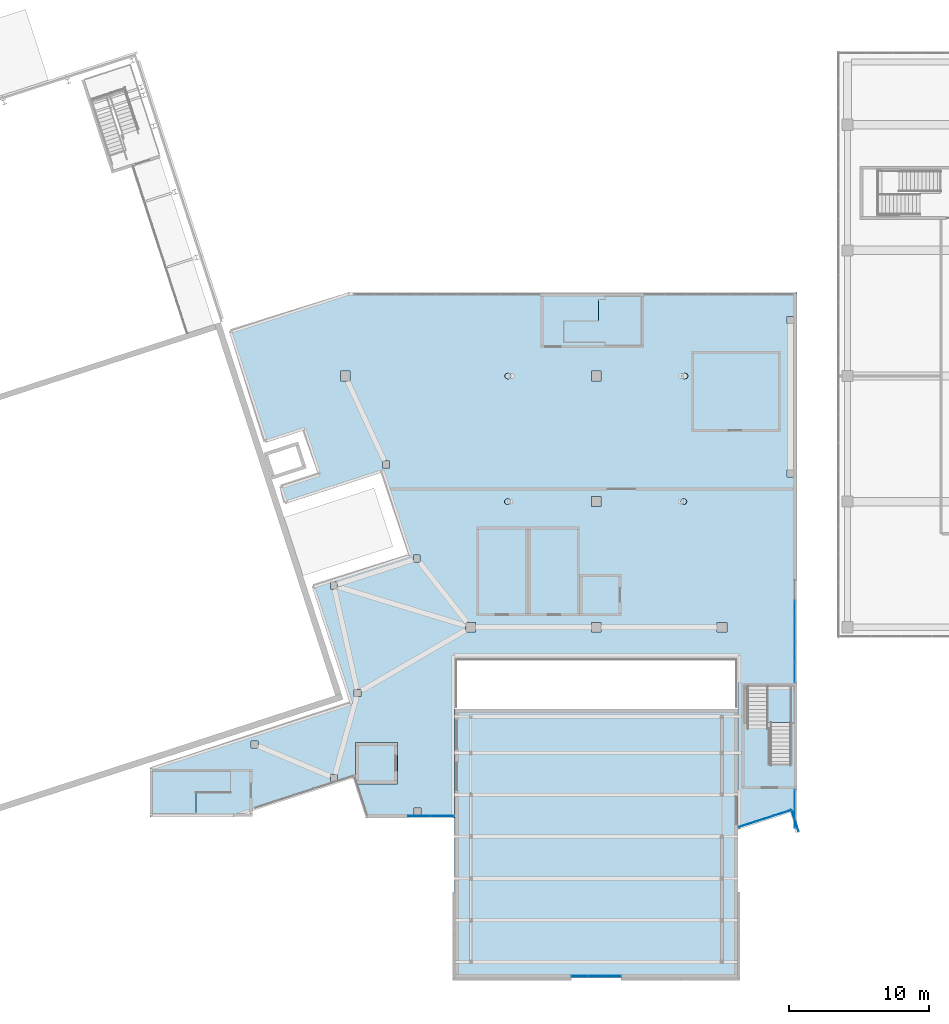
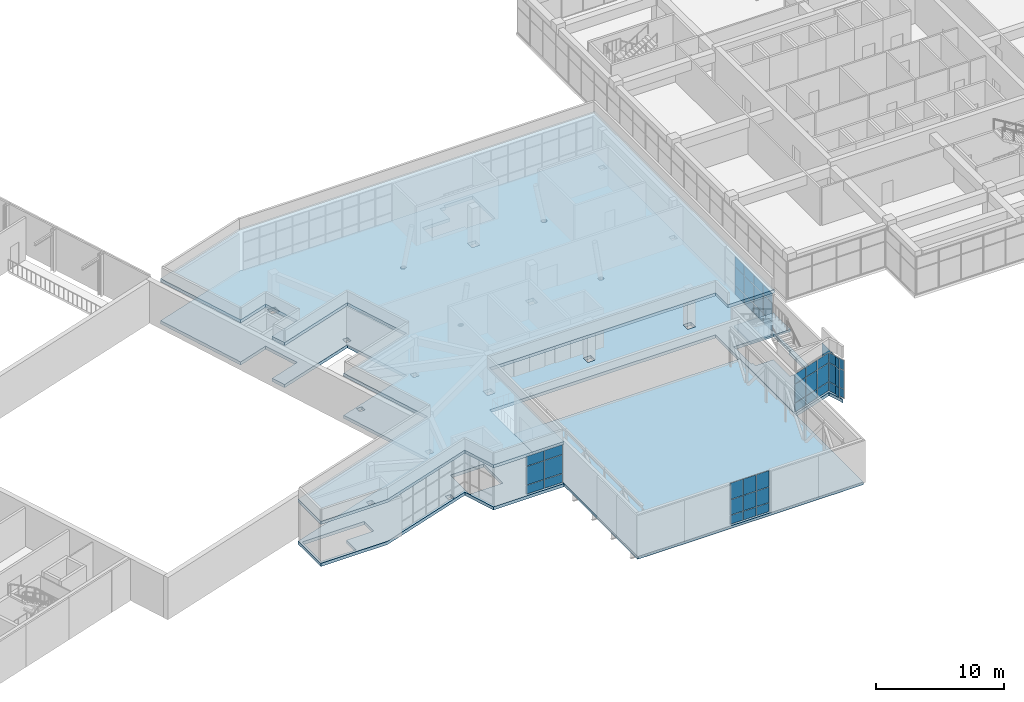
# One storey, part 55 of 72: 45 plates, 4 slabs, 7 elements without a shape of their own.
"""IFC4 building model written with IfcOpenShell, lengths in metres."""

import ifcopenshell
import ifcopenshell.guid

model = None  # the IFC model being written
_history = None  # IfcOwnerHistory: only IFC2X3 demands one
_inside = {}  # id of a spatial element -> (the spatial element, [elements in it])
_under = {}  # id of a project, library or spatial element -> (it, [spatial elements below it])
_declared = {}  # id of a project -> (the project, [libraries it declares])
_typed = {}  # id of a type object -> (the type object, [elements of that type])
_made_of = {}  # id of a material, layer set ... -> (it, [elements and type objects made of it])


def new_model(schema):
    """Start an empty IFC model of exactly this schema.

    Asked for "IFC4X3", IfcOpenShell would pick the latest addendum, in which some entities
    have other attributes; the version numbers below select the first issue.
    IFC2X3 requires an IfcOwnerHistory on every rooted entity: one is made here for all.
    """
    global model, _history
    if schema == "IFC4X3":
        model = ifcopenshell.file(schema_version=(4, 3, 0, 0))
    else:
        model = ifcopenshell.file(schema=schema)
    _inside.clear()
    _under.clear()
    _declared.clear()
    _typed.clear()
    _made_of.clear()
    _history = None
    if model.schema == "IFC2X3":
        org = make("IfcOrganization", Name="unknown")
        user = make(
            "IfcPersonAndOrganization",
            ThePerson=make("IfcPerson", FamilyName="unknown"),
            TheOrganization=org,
        )
        app = make(
            "IfcApplication",
            ApplicationDeveloper=org,
            Version="unknown",
            ApplicationFullName="unknown",
            ApplicationIdentifier="unknown",
        )
        _history = make(
            "IfcOwnerHistory",
            OwningUser=user,
            OwningApplication=app,
            ChangeAction="ADDED",
            CreationDate=0,
        )
    return model


def make(cls, **values):
    """One entity of the class cls with the attributes given. An attribute that is None is left unset."""
    return model.create_entity(
        cls, **{name: value for name, value in values.items() if value is not None}
    )


def rooted(cls, **values):
    """An entity with a GlobalId (a new one), such as an element, a storey or a relation."""
    return make(cls, GlobalId=ifcopenshell.guid.new(), OwnerHistory=_history, **values)


def si_unit(unit_type, name, prefix=None):
    """IfcSIUnit, for example si_unit("LENGTHUNIT", "METRE", prefix="MILLI")."""
    return make("IfcSIUnit", UnitType=unit_type, Prefix=prefix, Name=name)


def assignment(units):
    """IfcUnitAssignment: the units of a project."""
    return None if units is None else make("IfcUnitAssignment", Units=units)


def point(xyz):
    """IfcCartesianPoint."""
    return None if xyz is None else make("IfcCartesianPoint", Coordinates=xyz)


def direction(xyz):
    """IfcDirection."""
    return None if xyz is None else make("IfcDirection", DirectionRatios=xyz)


def frame(location, z_axis=None, x_axis=None):
    """IfcAxis2Placement3D, a coordinate frame: its origin and axes. An axis left out is left unset."""
    return make(
        "IfcAxis2Placement3D",
        Location=point(location),
        Axis=direction(z_axis),
        RefDirection=direction(x_axis),
    )


def frame_2d(location, x_axis=None):
    """IfcAxis2Placement2D, a coordinate frame in the plane: its origin and x axis."""
    return make(
        "IfcAxis2Placement2D", Location=point(location), RefDirection=direction(x_axis)
    )


def origin():
    """The frame at (0, 0, 0) with its axes left unset."""
    return frame((0.0, 0.0, 0.0))


def origin_2d():
    """The frame at (0, 0) in the plane with its x axis left unset."""
    return frame_2d((0.0, 0.0))


def place(relative_to, where):
    """IfcLocalPlacement: puts the frame where relative to a parent placement (None: the world)."""
    return make(
        "IfcLocalPlacement", PlacementRelTo=relative_to, RelativePlacement=where
    )


def context(
    kind, dimensions, precision=None, world=None, true_north=None, identifier=None
):
    """IfcGeometricRepresentationContext, for example the 3D "Model" context."""
    return make(
        "IfcGeometricRepresentationContext",
        ContextIdentifier=identifier,
        ContextType=kind,
        CoordinateSpaceDimension=dimensions,
        Precision=precision,
        WorldCoordinateSystem=world,
        TrueNorth=true_north,
    )


def subcontext(parent, identifier, kind, view, scale=None):
    """IfcGeometricRepresentationSubContext, for example "Body" below "Model"."""
    return make(
        "IfcGeometricRepresentationSubContext",
        ContextIdentifier=identifier,
        ContextType=kind,
        ParentContext=parent,
        TargetScale=scale,
        TargetView=view,
    )


def project(units=None, contexts=None):
    """IfcProject with its units and contexts."""
    return rooted(
        "IfcProject",
        Name="project",
        RepresentationContexts=contexts,
        UnitsInContext=assignment(units),
    )


def spatial(cls, under=None, at=None, **own):
    """A site, building, storey or space (cls), placed at a placement, below another one or the project."""
    s = rooted(cls, ObjectPlacement=at, **own)
    if under is not None:
        _under.setdefault(under.id(), (under, []))[1].append(s)
    return s


def polyline(points):
    """IfcPolyline through the points."""
    return make("IfcPolyline", Points=[point(p) for p in points])


def profile(cls, at=None, kind="AREA", **sizes):
    """A parametric profile (cls). Its sizes go by their IFC names, for example OverallWidth=200.0."""
    return make(cls, ProfileType=kind, Position=at, **sizes)


def rectangle(**sizes):
    """IfcRectangleProfileDef."""
    return profile("IfcRectangleProfileDef", **sizes)


def outline(outer, holes=None, kind="AREA"):
    """IfcArbitraryClosedProfileDef: a profile drawn as a closed curve; with holes, ...WithVoids."""
    if holes is None:
        return make("IfcArbitraryClosedProfileDef", ProfileType=kind, OuterCurve=outer)
    return make(
        "IfcArbitraryProfileDefWithVoids",
        ProfileType=kind,
        OuterCurve=outer,
        InnerCurves=holes,
    )


def extrude(swept, where, along, depth):
    """IfcExtrudedAreaSolid: the profile swept, set in the frame where, extruded along a direction by depth."""
    return make(
        "IfcExtrudedAreaSolid",
        SweptArea=swept,
        Position=where,
        ExtrudedDirection=direction(along),
        Depth=depth,
    )


def shape(context_of_items, identifier, shape_type, items):
    """IfcShapeRepresentation: the items that make up one representation, for example the "Body"."""
    return make(
        "IfcShapeRepresentation",
        ContextOfItems=context_of_items,
        RepresentationIdentifier=identifier,
        RepresentationType=shape_type,
        Items=items,
    )


def material(Name=None, Category=None):
    """IfcMaterial."""
    return make("IfcMaterial", Name=Name, Category=Category)


def layer(
    of_material, thickness, ventilated=None, Name=None, Category=None, Priority=None
):
    """IfcMaterialLayer: one layer of a wall or slab, of a material (None: an air gap)."""
    return make(
        "IfcMaterialLayer",
        Material=of_material,
        LayerThickness=thickness,
        IsVentilated=ventilated,
        Name=Name,
        Category=Category,
        Priority=Priority,
    )


def layer_set(layers, Name=None):
    """IfcMaterialLayerSet."""
    return make("IfcMaterialLayerSet", MaterialLayers=layers, LayerSetName=Name)


def made_of(thing, what):
    """Note that an element or type object is made of a material, layer set ...; save() writes the relation."""
    if what is not None:
        _made_of.setdefault(what.id(), (what, []))[1].append(thing)
    return thing


def type_object(cls, material=None, **own):
    """A type object (cls), such as IfcWallType, which elements share."""
    return made_of(rooted(cls, **own), material)


def element(
    cls,
    number,
    at=None,
    inside=None,
    cuts=None,
    type_object=None,
    material=None,
    context=None,
    identifier="Body",
    shape_type=None,
    held_by="IfcProductDefinitionShape",
    body=None,
    shapes=None,
    **own,
):
    """One element of the class cls, such as IfcWall. Its Tag is "e" and its number.

    at: its placement. inside: the storey or other place that contains it. cuts: it is an
    opening in that element (IfcRelVoidsElement). A single representation is given by context,
    identifier, shape_type and body (its items); several are given by shapes. held_by: the class
    of the entity that holds the representations. save() writes the other relations.
    """
    e = rooted(cls, Tag="e%d" % number, ObjectPlacement=at, **own)
    if body is not None:
        shapes = [shape(context, identifier, shape_type, body)]
    if shapes is not None:
        e.Representation = make(held_by, Representations=shapes)
    if inside is not None:
        _inside.setdefault(inside.id(), (inside, []))[1].append(e)
    if cuts is not None:
        rooted(
            "IfcRelVoidsElement", RelatingBuildingElement=cuts, RelatedOpeningElement=e
        )
    if type_object is not None:
        _typed.setdefault(type_object.id(), (type_object, []))[1].append(e)
    return made_of(e, material)


def aggregate(whole, parts):
    """IfcRelAggregates: a whole, such as a stair, and the parts it consists of."""
    return rooted("IfcRelAggregates", RelatingObject=whole, RelatedObjects=parts)


def save(model, path):
    """Write the relations noted so far, then the file.

    IfcRelAggregates (storeys below a building ...), IfcRelContainedInSpatialStructure (elements
    in a storey), IfcRelDefinesByType, IfcRelAssociatesMaterial and IfcRelDeclares: one each for
    every whole, place, type object, material and project.
    """
    for whole, parts in _under.values():
        aggregate(whole, parts)
    for where, things in _inside.values():
        rooted(
            "IfcRelContainedInSpatialStructure",
            RelatedElements=things,
            RelatingStructure=where,
        )
    for kind, things in _typed.values():
        rooted("IfcRelDefinesByType", RelatedObjects=things, RelatingType=kind)
    for what, things in _made_of.values():
        rooted("IfcRelAssociatesMaterial", RelatedObjects=things, RelatingMaterial=what)
    for by, libraries in _declared.values():
        rooted("IfcRelDeclares", RelatingContext=by, RelatedDefinitions=libraries)
    model.write(path)


model = new_model("IFC4")

# Units and contexts
model_context = context("Model", 3, precision=1e-05, world=origin(), true_north=direction((0.0, 1.0)))
body_context = subcontext(model_context, "Body", "Model", "MODEL_VIEW")
ifc_project = project(units=[si_unit("LENGTHUNIT", "METRE"), si_unit("AREAUNIT", "SQUARE_METRE"), si_unit("VOLUMEUNIT", "CUBIC_METRE"), si_unit("PLANEANGLEUNIT", "RADIAN"), si_unit("MASSUNIT", "GRAM", prefix="KILO")], contexts=[model_context])

# Site, building, storey
site_placement = place(None, origin())
site = spatial("IfcSite", under=ifc_project, at=site_placement, CompositionType="ELEMENT")
building_placement = place(site_placement, origin())
building = spatial("IfcBuilding", under=site, at=building_placement, Name="Tuart Plaza Theatre", CompositionType="ELEMENT")
storey_placement = place(building_placement, frame((0.0, 0.0, 13.5)))
storey = spatial("IfcBuildingStorey", under=building, at=storey_placement, Name="L03", CompositionType="ELEMENT", Elevation=13.5)

# Curtain wall, plates
ifc_material_1 = material(Name="Aluminium and glass", Category="aluminium")
ifc_layer_1 = layer(ifc_material_1, 0.10009765625)
ifc_layer_set_1 = layer_set([ifc_layer_1], Name="CURTAIN WALL 1500 module")
curtain_wall_type_1 = type_object("IfcCurtainWallType", Name="CURTAIN WALL 1500 module", PredefinedType="NOTDEFINED", material=ifc_layer_set_1)
curtain_wall_1_placement = place(storey_placement, origin())
curtain_wall_1 = element("IfcCurtainWall", 1, at=curtain_wall_1_placement, inside=storey, type_object=curtain_wall_type_1, Name="CW39", PredefinedType="NOTDEFINED")
ifc_material_2 = material(Name="Glass", Category="glass")
ifc_layer_2 = layer(ifc_material_2, 0.028076171875)
ifc_layer_set_2 = layer_set([ifc_layer_2], Name="CURTAIN PANEL double glazed 28")
plate_type = type_object("IfcPlateType", Name="CURTAIN PANEL double glazed 28", PredefinedType="CURTAIN_PANEL", material=ifc_layer_set_2)
plate_1_placement = place(storey_placement, frame((83.335205078125, 42.47802734375, 0.0498046875), z_axis=(0.0, 0.0, 1.0), x_axis=(1.0, 0.0, 0.0)))
plate_1 = element("IfcPlate", 2, at=plate_1_placement, type_object=plate_type, Name="CW39 panel 1.1", PredefinedType="CURTAIN_PANEL", context=body_context, shape_type="SweptSolid", body=[
    extrude(rectangle(XDim=1.596435546875, YDim=0.028076171875, at=origin_2d()), origin(), (0.0, 0.0, 1.0), 0.824951171875),
])
plate_2_placement = place(storey_placement, frame((83.335205078125, 42.47802734375, 0.925048828125), z_axis=(0.0, 0.0, 1.0), x_axis=(1.0, 0.0, 0.0)))
plate_2 = element("IfcPlate", 3, at=plate_2_placement, type_object=plate_type, Name="CW39 panel 1.2", PredefinedType="CURTAIN_PANEL", context=body_context, shape_type="SweptSolid", body=[
    extrude(rectangle(XDim=1.596435546875, YDim=0.028076171875, at=origin_2d()), origin(), (0.0, 0.0, 1.0), 1.75),
])
plate_3_placement = place(storey_placement, frame((83.335205078125, 42.47802734375, 2.72509765625), z_axis=(0.0, 0.0, 1.0), x_axis=(1.0, 0.0, 0.0)))
plate_3 = element("IfcPlate", 4, at=plate_3_placement, type_object=plate_type, Name="CW39 panel 1.3", PredefinedType="CURTAIN_PANEL", context=body_context, shape_type="SweptSolid", body=[
    extrude(rectangle(XDim=1.596435546875, YDim=0.028076171875, at=origin_2d()), origin(), (0.0, 0.0, 1.0), 0.925048828125),
])
plate_4_placement = place(storey_placement, frame((84.981689453125, 42.47802734375, 0.0498046875), z_axis=(0.0, 0.0, 1.0), x_axis=(1.0, 0.0, 0.0)))
plate_4 = element("IfcPlate", 5, at=plate_4_placement, type_object=plate_type, Name="CW39 panel 2.1", PredefinedType="CURTAIN_PANEL", context=body_context, shape_type="SweptSolid", body=[
    extrude(rectangle(XDim=1.596435546875, YDim=0.028076171875, at=origin_2d()), origin(), (0.0, 0.0, 1.0), 0.824951171875),
])
plate_5_placement = place(storey_placement, frame((84.981689453125, 42.47802734375, 0.925048828125), z_axis=(0.0, 0.0, 1.0), x_axis=(1.0, 0.0, 0.0)))
plate_5 = element("IfcPlate", 6, at=plate_5_placement, type_object=plate_type, Name="CW39 panel 2.2", PredefinedType="CURTAIN_PANEL", context=body_context, shape_type="SweptSolid", body=[
    extrude(rectangle(XDim=1.596435546875, YDim=0.028076171875, at=origin_2d()), origin(), (0.0, 0.0, 1.0), 1.75),
])
plate_6_placement = place(storey_placement, frame((84.981689453125, 42.47802734375, 2.72509765625), z_axis=(0.0, 0.0, 1.0), x_axis=(1.0, 0.0, 0.0)))
plate_6 = element("IfcPlate", 7, at=plate_6_placement, type_object=plate_type, Name="CW39 panel 2.3", PredefinedType="CURTAIN_PANEL", context=body_context, shape_type="SweptSolid", body=[
    extrude(rectangle(XDim=1.596435546875, YDim=0.028076171875, at=origin_2d()), origin(), (0.0, 0.0, 1.0), 0.925048828125),
])
aggregate(curtain_wall_1, [plate_1, plate_2, plate_3, plate_4, plate_5, plate_6])

curtain_wall_2_placement = place(storey_placement, origin())
curtain_wall_2 = element("IfcCurtainWall", 8, at=curtain_wall_2_placement, inside=storey, type_object=curtain_wall_type_1, Name="CW40", PredefinedType="NOTDEFINED")
plate_7_placement = place(storey_placement, frame((106.819580078125, 41.876220703125, 0.0498046875), z_axis=(0.0, 0.0, 1.0), x_axis=(0.951099369267, 0.308885075359, 0.0)))
plate_7 = element("IfcPlate", 9, at=plate_7_placement, type_object=plate_type, Name="CW40 panel 1.1", PredefinedType="CURTAIN_PANEL", context=body_context, shape_type="SweptSolid", body=[
    extrude(rectangle(XDim=1.26611328125, YDim=0.028076171875, at=origin_2d()), origin(), (0.0, 0.0, 1.0), 0.824951171875),
])
plate_8_placement = place(storey_placement, frame((106.819580078125, 41.876220703125, 0.925048828125), z_axis=(0.0, 0.0, 1.0), x_axis=(0.951099369267, 0.308885075359, 0.0)))
plate_8 = element("IfcPlate", 10, at=plate_8_placement, type_object=plate_type, Name="CW40 panel 1.2", PredefinedType="CURTAIN_PANEL", context=body_context, shape_type="SweptSolid", body=[
    extrude(rectangle(XDim=1.26611328125, YDim=0.028076171875, at=origin_2d()), origin(), (0.0, 0.0, 1.0), 1.75),
])
plate_9_placement = place(storey_placement, frame((106.819580078125, 41.876220703125, 2.72509765625), z_axis=(0.0, 0.0, 1.0), x_axis=(0.951099369267, 0.308885075359, 0.0)))
plate_9 = element("IfcPlate", 11, at=plate_9_placement, type_object=plate_type, Name="CW40 panel 1.3", PredefinedType="CURTAIN_PANEL", context=body_context, shape_type="SweptSolid", body=[
    extrude(rectangle(XDim=1.26611328125, YDim=0.028076171875, at=origin_2d()), origin(), (0.0, 0.0, 1.0), 0.925048828125),
])
plate_10_placement = place(storey_placement, frame((108.083251953125, 42.28662109375, 0.0498046875), z_axis=(0.0, 0.0, 1.0), x_axis=(0.951099369267, 0.308885075359, 0.0)))
plate_10 = element("IfcPlate", 12, at=plate_10_placement, type_object=plate_type, Name="CW40 panel 2.1", PredefinedType="CURTAIN_PANEL", context=body_context, shape_type="SweptSolid", body=[
    extrude(rectangle(XDim=1.291015625, YDim=0.028076171875, at=origin_2d()), origin(), (0.0, 0.0, 1.0), 0.824951171875),
])
plate_11_placement = place(storey_placement, frame((108.083251953125, 42.28662109375, 0.925048828125), z_axis=(0.0, 0.0, 1.0), x_axis=(0.951099369267, 0.308885075359, 0.0)))
plate_11 = element("IfcPlate", 13, at=plate_11_placement, type_object=plate_type, Name="CW40 panel 2.2", PredefinedType="CURTAIN_PANEL", context=body_context, shape_type="SweptSolid", body=[
    extrude(rectangle(XDim=1.291015625, YDim=0.028076171875, at=origin_2d()), origin(), (0.0, 0.0, 1.0), 1.75),
])
plate_12_placement = place(storey_placement, frame((108.083251953125, 42.28662109375, 2.72509765625), z_axis=(0.0, 0.0, 1.0), x_axis=(0.951099369267, 0.308885075359, 0.0)))
plate_12 = element("IfcPlate", 14, at=plate_12_placement, type_object=plate_type, Name="CW40 panel 2.3", PredefinedType="CURTAIN_PANEL", context=body_context, shape_type="SweptSolid", body=[
    extrude(rectangle(XDim=1.291015625, YDim=0.028076171875, at=origin_2d()), origin(), (0.0, 0.0, 1.0), 0.925048828125),
])
plate_13_placement = place(storey_placement, frame((109.3466796875, 42.697021484375, 0.0498046875), z_axis=(0.0, 0.0, 1.0), x_axis=(0.951099369267, 0.308885075359, 0.0)))
plate_13 = element("IfcPlate", 15, at=plate_13_placement, type_object=plate_type, Name="CW40 panel 3.1", PredefinedType="CURTAIN_PANEL", context=body_context, shape_type="SweptSolid", body=[
    extrude(rectangle(XDim=1.26611328125, YDim=0.028076171875, at=origin_2d()), origin(), (0.0, 0.0, 1.0), 0.824951171875),
])
plate_14_placement = place(storey_placement, frame((109.3466796875, 42.697021484375, 0.925048828125), z_axis=(0.0, 0.0, 1.0), x_axis=(0.951099369267, 0.308885075359, 0.0)))
plate_14 = element("IfcPlate", 16, at=plate_14_placement, type_object=plate_type, Name="CW40 panel 3.2", PredefinedType="CURTAIN_PANEL", context=body_context, shape_type="SweptSolid", body=[
    extrude(rectangle(XDim=1.26611328125, YDim=0.028076171875, at=origin_2d()), origin(), (0.0, 0.0, 1.0), 1.75),
])
plate_15_placement = place(storey_placement, frame((109.3466796875, 42.697021484375, 2.72509765625), z_axis=(0.0, 0.0, 1.0), x_axis=(0.951099369267, 0.308885075359, 0.0)))
plate_15 = element("IfcPlate", 17, at=plate_15_placement, type_object=plate_type, Name="CW40 panel 3.3", PredefinedType="CURTAIN_PANEL", context=body_context, shape_type="SweptSolid", body=[
    extrude(rectangle(XDim=1.26611328125, YDim=0.028076171875, at=origin_2d()), origin(), (0.0, 0.0, 1.0), 0.925048828125),
])
aggregate(curtain_wall_2, [plate_7, plate_8, plate_9, plate_10, plate_11, plate_12, plate_13, plate_14, plate_15])

curtain_wall_3_placement = place(storey_placement, origin())
curtain_wall_3 = element("IfcCurtainWall", 18, at=curtain_wall_3_placement, inside=storey, type_object=curtain_wall_type_1, Name="CW41", PredefinedType="NOTDEFINED")
plate_16_placement = place(storey_placement, frame((110.2509765625, 42.123779296875, 0.0498046875), z_axis=(0.0, 0.0, 1.0), x_axis=(0.30881459025, -0.951122257572, 0.0)))
plate_16 = element("IfcPlate", 19, at=plate_16_placement, type_object=plate_type, Name="CW41 panel 1.1", PredefinedType="CURTAIN_PANEL", context=body_context, shape_type="SweptSolid", body=[
    extrude(rectangle(XDim=1.54931640625, YDim=0.028076171875, at=origin_2d()), origin(), (0.0, 0.0, 1.0), 0.824951171875),
])
plate_17_placement = place(storey_placement, frame((110.2509765625, 42.123779296875, 0.925048828125), z_axis=(0.0, 0.0, 1.0), x_axis=(0.30881459025, -0.951122257572, 0.0)))
plate_17 = element("IfcPlate", 20, at=plate_17_placement, type_object=plate_type, Name="CW41 panel 1.2", PredefinedType="CURTAIN_PANEL", context=body_context, shape_type="SweptSolid", body=[
    extrude(rectangle(XDim=1.54931640625, YDim=0.028076171875, at=origin_2d()), origin(), (0.0, 0.0, 1.0), 1.75),
])
plate_18_placement = place(storey_placement, frame((110.2509765625, 42.123779296875, 2.72509765625), z_axis=(0.0, 0.0, 1.0), x_axis=(0.30881459025, -0.951122257572, 0.0)))
plate_18 = element("IfcPlate", 21, at=plate_18_placement, type_object=plate_type, Name="CW41 panel 1.3", PredefinedType="CURTAIN_PANEL", context=body_context, shape_type="SweptSolid", body=[
    extrude(rectangle(XDim=1.54931640625, YDim=0.028076171875, at=origin_2d()), origin(), (0.0, 0.0, 1.0), 0.925048828125),
])
aggregate(curtain_wall_3, [plate_16, plate_17, plate_18])

curtain_wall_4_placement = place(storey_placement, origin())
curtain_wall_4 = element("IfcCurtainWall", 22, at=curtain_wall_4_placement, inside=storey, type_object=curtain_wall_type_1, Name="CW42", PredefinedType="NOTDEFINED")
plate_19_placement = place(storey_placement, frame((110.212890625, 42.30712890625, 0.0498046875), z_axis=(0.0, 0.0, 1.0), x_axis=(0.0, 1.0, 0.0)))
plate_19 = element("IfcPlate", 23, at=plate_19_placement, type_object=plate_type, Name="CW42 panel 1.1", PredefinedType="CURTAIN_PANEL", context=body_context, shape_type="SweptSolid", body=[
    extrude(rectangle(XDim=1.32861328125, YDim=0.028076171875, at=origin_2d()), origin(), (0.0, 0.0, 1.0), 0.824951171875),
])
plate_20_placement = place(storey_placement, frame((110.212890625, 42.30712890625, 0.925048828125), z_axis=(0.0, 0.0, 1.0), x_axis=(0.0, 1.0, 0.0)))
plate_20 = element("IfcPlate", 24, at=plate_20_placement, type_object=plate_type, Name="CW42 panel 1.2", PredefinedType="CURTAIN_PANEL", context=body_context, shape_type="SweptSolid", body=[
    extrude(rectangle(XDim=1.32861328125, YDim=0.028076171875, at=origin_2d()), origin(), (0.0, 0.0, 1.0), 1.75),
])
plate_21_placement = place(storey_placement, frame((110.212890625, 42.30712890625, 2.72509765625), z_axis=(0.0, 0.0, 1.0), x_axis=(0.0, 1.0, 0.0)))
plate_21 = element("IfcPlate", 25, at=plate_21_placement, type_object=plate_type, Name="CW42 panel 1.3", PredefinedType="CURTAIN_PANEL", context=body_context, shape_type="SweptSolid", body=[
    extrude(rectangle(XDim=1.32861328125, YDim=0.028076171875, at=origin_2d()), origin(), (0.0, 0.0, 1.0), 0.925048828125),
])
plate_22_placement = place(storey_placement, frame((110.212890625, 43.685791015625, 0.0498046875), z_axis=(0.0, 0.0, 1.0), x_axis=(0.0, 1.0, 0.0)))
plate_22 = element("IfcPlate", 26, at=plate_22_placement, type_object=plate_type, Name="CW42 panel 2.1", PredefinedType="CURTAIN_PANEL", context=body_context, shape_type="SweptSolid", body=[
    extrude(rectangle(XDim=1.32861328125, YDim=0.028076171875, at=origin_2d()), origin(), (0.0, 0.0, 1.0), 0.824951171875),
])
plate_23_placement = place(storey_placement, frame((110.212890625, 43.685791015625, 0.925048828125), z_axis=(0.0, 0.0, 1.0), x_axis=(0.0, 1.0, 0.0)))
plate_23 = element("IfcPlate", 27, at=plate_23_placement, type_object=plate_type, Name="CW42 panel 2.2", PredefinedType="CURTAIN_PANEL", context=body_context, shape_type="SweptSolid", body=[
    extrude(rectangle(XDim=1.32861328125, YDim=0.028076171875, at=origin_2d()), origin(), (0.0, 0.0, 1.0), 1.75),
])
plate_24_placement = place(storey_placement, frame((110.212890625, 43.685791015625, 2.72509765625), z_axis=(0.0, 0.0, 1.0), x_axis=(0.0, 1.0, 0.0)))
plate_24 = element("IfcPlate", 28, at=plate_24_placement, type_object=plate_type, Name="CW42 panel 2.3", PredefinedType="CURTAIN_PANEL", context=body_context, shape_type="SweptSolid", body=[
    extrude(rectangle(XDim=1.32861328125, YDim=0.028076171875, at=origin_2d()), origin(), (0.0, 0.0, 1.0), 0.925048828125),
])
aggregate(curtain_wall_4, [plate_19, plate_20, plate_21, plate_22, plate_23, plate_24])

curtain_wall_5_placement = place(storey_placement, origin())
curtain_wall_5 = element("IfcCurtainWall", 29, at=curtain_wall_5_placement, inside=storey, type_object=curtain_wall_type_1, Name="CW43", PredefinedType="NOTDEFINED")
plate_25_placement = place(storey_placement, frame((110.212890625, 52.75244140625, 0.0498046875), z_axis=(0.0, 0.0, 1.0), x_axis=(0.0, 1.0, 0.0)))
plate_25 = element("IfcPlate", 30, at=plate_25_placement, type_object=plate_type, Name="CW43 panel 1.1", PredefinedType="CURTAIN_PANEL", context=body_context, shape_type="SweptSolid", body=[
    extrude(rectangle(XDim=1.405029296875, YDim=0.028076171875, at=origin_2d()), origin(), (0.0, 0.0, 1.0), 0.824951171875),
])
plate_26_placement = place(storey_placement, frame((110.212890625, 52.75244140625, 0.925048828125), z_axis=(0.0, 0.0, 1.0), x_axis=(0.0, 1.0, 0.0)))
plate_26 = element("IfcPlate", 31, at=plate_26_placement, type_object=plate_type, Name="CW43 panel 1.2", PredefinedType="CURTAIN_PANEL", context=body_context, shape_type="SweptSolid", body=[
    extrude(rectangle(XDim=1.405029296875, YDim=0.028076171875, at=origin_2d()), origin(), (0.0, 0.0, 1.0), 1.75),
])
plate_27_placement = place(storey_placement, frame((110.212890625, 52.75244140625, 2.72509765625), z_axis=(0.0, 0.0, 1.0), x_axis=(0.0, 1.0, 0.0)))
plate_27 = element("IfcPlate", 32, at=plate_27_placement, type_object=plate_type, Name="CW43 panel 1.3", PredefinedType="CURTAIN_PANEL", context=body_context, shape_type="SweptSolid", body=[
    extrude(rectangle(XDim=1.405029296875, YDim=0.028076171875, at=origin_2d()), origin(), (0.0, 0.0, 1.0), 0.925048828125),
])
plate_28_placement = place(storey_placement, frame((110.212890625, 54.219970703125, 0.0498046875), z_axis=(0.0, 0.0, 1.0), x_axis=(0.0, 1.0, 0.0)))
plate_28 = element("IfcPlate", 33, at=plate_28_placement, type_object=plate_type, Name="CW43 panel 2.1", PredefinedType="CURTAIN_PANEL", context=body_context, shape_type="SweptSolid", body=[
    extrude(rectangle(XDim=1.429931640625, YDim=0.028076171875, at=origin_2d()), origin(), (0.0, 0.0, 1.0), 0.824951171875),
])
plate_29_placement = place(storey_placement, frame((110.212890625, 54.219970703125, 0.925048828125), z_axis=(0.0, 0.0, 1.0), x_axis=(0.0, 1.0, 0.0)))
plate_29 = element("IfcPlate", 34, at=plate_29_placement, type_object=plate_type, Name="CW43 panel 2.2", PredefinedType="CURTAIN_PANEL", context=body_context, shape_type="SweptSolid", body=[
    extrude(rectangle(XDim=1.429931640625, YDim=0.028076171875, at=origin_2d()), origin(), (0.0, 0.0, 1.0), 1.75),
])
plate_30_placement = place(storey_placement, frame((110.212890625, 54.219970703125, 2.72509765625), z_axis=(0.0, 0.0, 1.0), x_axis=(0.0, 1.0, 0.0)))
plate_30 = element("IfcPlate", 35, at=plate_30_placement, type_object=plate_type, Name="CW43 panel 2.3", PredefinedType="CURTAIN_PANEL", context=body_context, shape_type="SweptSolid", body=[
    extrude(rectangle(XDim=1.429931640625, YDim=0.028076171875, at=origin_2d()), origin(), (0.0, 0.0, 1.0), 0.925048828125),
])
plate_31_placement = place(storey_placement, frame((110.212890625, 55.699951171875, 0.0498046875), z_axis=(0.0, 0.0, 1.0), x_axis=(0.0, 1.0, 0.0)))
plate_31 = element("IfcPlate", 36, at=plate_31_placement, type_object=plate_type, Name="CW43 panel 3.1", PredefinedType="CURTAIN_PANEL", context=body_context, shape_type="SweptSolid", body=[
    extrude(rectangle(XDim=1.429931640625, YDim=0.028076171875, at=origin_2d()), origin(), (0.0, 0.0, 1.0), 0.824951171875),
])
plate_32_placement = place(storey_placement, frame((110.212890625, 55.699951171875, 0.925048828125), z_axis=(0.0, 0.0, 1.0), x_axis=(0.0, 1.0, 0.0)))
plate_32 = element("IfcPlate", 37, at=plate_32_placement, type_object=plate_type, Name="CW43 panel 3.2", PredefinedType="CURTAIN_PANEL", context=body_context, shape_type="SweptSolid", body=[
    extrude(rectangle(XDim=1.429931640625, YDim=0.028076171875, at=origin_2d()), origin(), (0.0, 0.0, 1.0), 1.75),
])
plate_33_placement = place(storey_placement, frame((110.212890625, 55.699951171875, 2.72509765625), z_axis=(0.0, 0.0, 1.0), x_axis=(0.0, 1.0, 0.0)))
plate_33 = element("IfcPlate", 38, at=plate_33_placement, type_object=plate_type, Name="CW43 panel 3.3", PredefinedType="CURTAIN_PANEL", context=body_context, shape_type="SweptSolid", body=[
    extrude(rectangle(XDim=1.429931640625, YDim=0.028076171875, at=origin_2d()), origin(), (0.0, 0.0, 1.0), 0.925048828125),
])
plate_34_placement = place(storey_placement, frame((110.212890625, 57.179931640625, 0.0498046875), z_axis=(0.0, 0.0, 1.0), x_axis=(0.0, 1.0, 0.0)))
plate_34 = element("IfcPlate", 39, at=plate_34_placement, type_object=plate_type, Name="CW43 panel 4.1", PredefinedType="CURTAIN_PANEL", context=body_context, shape_type="SweptSolid", body=[
    extrude(rectangle(XDim=1.429931640625, YDim=0.028076171875, at=origin_2d()), origin(), (0.0, 0.0, 1.0), 0.824951171875),
])
plate_35_placement = place(storey_placement, frame((110.212890625, 57.179931640625, 0.925048828125), z_axis=(0.0, 0.0, 1.0), x_axis=(0.0, 1.0, 0.0)))
plate_35 = element("IfcPlate", 40, at=plate_35_placement, type_object=plate_type, Name="CW43 panel 4.2", PredefinedType="CURTAIN_PANEL", context=body_context, shape_type="SweptSolid", body=[
    extrude(rectangle(XDim=1.429931640625, YDim=0.028076171875, at=origin_2d()), origin(), (0.0, 0.0, 1.0), 1.75),
])
plate_36_placement = place(storey_placement, frame((110.212890625, 57.179931640625, 2.72509765625), z_axis=(0.0, 0.0, 1.0), x_axis=(0.0, 1.0, 0.0)))
plate_36 = element("IfcPlate", 41, at=plate_36_placement, type_object=plate_type, Name="CW43 panel 4.3", PredefinedType="CURTAIN_PANEL", context=body_context, shape_type="SweptSolid", body=[
    extrude(rectangle(XDim=1.429931640625, YDim=0.028076171875, at=origin_2d()), origin(), (0.0, 0.0, 1.0), 0.925048828125),
])
aggregate(curtain_wall_5, [plate_25, plate_26, plate_27, plate_28, plate_29, plate_30, plate_31, plate_32, plate_33, plate_34, plate_35, plate_36])

ifc_material_3 = material(Name="Aluminium and glass", Category="aluminium")
ifc_layer_3 = layer(ifc_material_3, 0.10009765625)
ifc_layer_set_3 = layer_set([ifc_layer_3], Name="CURTAIN WALL 1200 module")
curtain_wall_type_2 = type_object("IfcCurtainWallType", Name="CURTAIN WALL 1200 module", PredefinedType="NOTDEFINED", material=ifc_layer_set_3)
curtain_wall_6_placement = place(storey_placement, origin())
curtain_wall_6 = element("IfcCurtainWall", 42, at=curtain_wall_6_placement, inside=storey, type_object=curtain_wall_type_2, Name="CW46", PredefinedType="NOTDEFINED")
plate_37_placement = place(storey_placement, frame((94.8125, 31.0, 0.0498046875), z_axis=(0.0, 0.0, 1.0), x_axis=(1.0, 0.0, 0.0)))
plate_37 = element("IfcPlate", 43, at=plate_37_placement, type_object=plate_type, Name="CW46 panel 1.1", PredefinedType="CURTAIN_PANEL", context=body_context, shape_type="SweptSolid", body=[
    extrude(rectangle(XDim=1.125, YDim=0.028076171875, at=origin_2d()), origin(), (0.0, 0.0, 1.0), 0.824951171875),
])
plate_38_placement = place(storey_placement, frame((94.8125, 31.0, 0.9248046875), z_axis=(0.0, 0.0, 1.0), x_axis=(1.0, 0.0, 0.0)))
plate_38 = element("IfcPlate", 44, at=plate_38_placement, type_object=plate_type, Name="CW46 panel 1.2", PredefinedType="CURTAIN_PANEL", context=body_context, shape_type="SweptSolid", body=[
    extrude(rectangle(XDim=1.125, YDim=0.028076171875, at=origin_2d()), origin(), (0.0, 0.0, 1.0), 1.449951171875),
])
plate_39_placement = place(storey_placement, frame((94.8125, 31.0, 2.425048828125), z_axis=(0.0, 0.0, 1.0), x_axis=(1.0, 0.0, 0.0)))
plate_39 = element("IfcPlate", 45, at=plate_39_placement, type_object=plate_type, Name="CW46 panel 1.3", PredefinedType="CURTAIN_PANEL", context=body_context, shape_type="SweptSolid", body=[
    extrude(rectangle(XDim=1.125, YDim=0.028076171875, at=origin_2d()), origin(), (0.0, 0.0, 1.0), 1.52490234375),
])
plate_40_placement = place(storey_placement, frame((96.0, 31.0, 0.0498046875), z_axis=(0.0, 0.0, 1.0), x_axis=(1.0, 0.0, 0.0)))
plate_40 = element("IfcPlate", 46, at=plate_40_placement, type_object=plate_type, Name="CW46 panel 2.1", PredefinedType="CURTAIN_PANEL", context=body_context, shape_type="SweptSolid", body=[
    extrude(rectangle(XDim=1.14990234375, YDim=0.028076171875, at=origin_2d()), origin(), (0.0, 0.0, 1.0), 0.824951171875),
])
plate_41_placement = place(storey_placement, frame((96.0, 31.0, 0.9248046875), z_axis=(0.0, 0.0, 1.0), x_axis=(1.0, 0.0, 0.0)))
plate_41 = element("IfcPlate", 47, at=plate_41_placement, type_object=plate_type, Name="CW46 panel 2.2", PredefinedType="CURTAIN_PANEL", context=body_context, shape_type="SweptSolid", body=[
    extrude(rectangle(XDim=1.14990234375, YDim=0.028076171875, at=origin_2d()), origin(), (0.0, 0.0, 1.0), 1.449951171875),
])
plate_42_placement = place(storey_placement, frame((96.0, 31.0, 2.425048828125), z_axis=(0.0, 0.0, 1.0), x_axis=(1.0, 0.0, 0.0)))
plate_42 = element("IfcPlate", 48, at=plate_42_placement, type_object=plate_type, Name="CW46 panel 2.3", PredefinedType="CURTAIN_PANEL", context=body_context, shape_type="SweptSolid", body=[
    extrude(rectangle(XDim=1.14990234375, YDim=0.028076171875, at=origin_2d()), origin(), (0.0, 0.0, 1.0), 1.52490234375),
])
plate_43_placement = place(storey_placement, frame((97.1875, 31.0, 0.0498046875), z_axis=(0.0, 0.0, 1.0), x_axis=(1.0, 0.0, 0.0)))
plate_43 = element("IfcPlate", 49, at=plate_43_placement, type_object=plate_type, Name="CW46 panel 3.1", PredefinedType="CURTAIN_PANEL", context=body_context, shape_type="SweptSolid", body=[
    extrude(rectangle(XDim=1.125, YDim=0.028076171875, at=origin_2d()), origin(), (0.0, 0.0, 1.0), 0.824951171875),
])
plate_44_placement = place(storey_placement, frame((97.1875, 31.0, 0.9248046875), z_axis=(0.0, 0.0, 1.0), x_axis=(1.0, 0.0, 0.0)))
plate_44 = element("IfcPlate", 50, at=plate_44_placement, type_object=plate_type, Name="CW46 panel 3.2", PredefinedType="CURTAIN_PANEL", context=body_context, shape_type="SweptSolid", body=[
    extrude(rectangle(XDim=1.125, YDim=0.028076171875, at=origin_2d()), origin(), (0.0, 0.0, 1.0), 1.449951171875),
])
plate_45_placement = place(storey_placement, frame((97.1875, 31.0, 2.425048828125), z_axis=(0.0, 0.0, 1.0), x_axis=(1.0, 0.0, 0.0)))
plate_45 = element("IfcPlate", 51, at=plate_45_placement, type_object=plate_type, Name="CW46 panel 3.3", PredefinedType="CURTAIN_PANEL", context=body_context, shape_type="SweptSolid", body=[
    extrude(rectangle(XDim=1.125, YDim=0.028076171875, at=origin_2d()), origin(), (0.0, 0.0, 1.0), 1.52490234375),
])
aggregate(curtain_wall_6, [plate_37, plate_38, plate_39, plate_40, plate_41, plate_42, plate_43, plate_44, plate_45])

# Slabs
ifc_material_4 = material(Name="Concrete N40 (40 MPa)", Category="concrete")
ifc_layer_4 = layer(ifc_material_4, 0.25)
ifc_layer_set_4 = layer_set([ifc_layer_4], Name="SLAB Floor 250 Concrete N40 (40 MPa)")
slab_type_1 = type_object("IfcSlabType", Name="SLAB Floor 250 Concrete N40 (40 MPa)", PredefinedType="FLOOR", material=ifc_layer_set_4)
slab_1_placement = place(storey_placement, frame((0.0, 0.0, -0.25)))
element("IfcSlab", 52, at=slab_1_placement, inside=storey, type_object=slab_type_1, Name="S65", PredefinedType="FLOOR", context=body_context, shape_type="SweptSolid", body=[
    extrude(outline(polyline([(106.14990234375, 30.85009765625), (106.14990234375, 50.14990234375), (85.85009765625, 50.14990234375), (85.85009765625, 30.85009765625), (106.14990234375, 30.85009765625)])), origin(), (0.0, 0.0, 1.0), 0.25),
])
ifc_material_5 = material(Name="Concrete N40 (40 MPa)", Category="concrete")
ifc_layer_5 = layer(ifc_material_5, 0.300048828125)
ifc_layer_set_5 = layer_set([ifc_layer_5], Name="SLAB Floor 300 Concrete N40 (40 MPa)")
slab_type_2 = type_object("IfcSlabType", Name="SLAB Floor 300 Concrete N40 (40 MPa)", PredefinedType="FLOOR", material=ifc_layer_set_5)
slab_2_placement = place(storey_placement, frame((0.0, 0.0, -0.300048828125)))
element("IfcSlab", 53, at=slab_2_placement, inside=storey, type_object=slab_type_2, Name="S73", PredefinedType="FLOOR", context=body_context, shape_type="SweptSolid", body=[
    extrude(outline(polyline([(78.336669921875, 50.576416015625), (64.0, 45.91796875), (64.0, 42.39990234375), (70.0, 42.39990234375), (78.5595703125, 45.18115234375), (79.486572265625, 42.327880859375), (85.830078125, 42.327880859375), (85.830078125, 53.89990234375), (106.169921875, 53.89990234375), (106.169921875, 41.507568359375), (109.899658203125, 42.719482421875), (110.36328125, 41.29296875), (110.363037109375, 79.987060546875), (78.24365234375, 79.987060546875), (69.68408203125, 77.205810546875), (72.27978515625, 69.217041015625), (75.0380859375, 70.113037109375), (76.057861328125, 66.974609375), (73.2998046875, 66.07861328125), (73.701416015625, 64.842041015625), (80.64404296875, 67.097900390625), (82.56005859375, 61.201416015625), (75.6171875, 58.945556640625), (78.336669921875, 50.576416015625)]), holes=[polyline([(77.449951171875, 44.949951171875), (77.449951171875, 45.449951171875), (76.949951171875, 45.449951171875), (76.949951171875, 44.949951171875), (77.449951171875, 44.949951171875)]), polyline([(78.75, 44.75), (81.75, 44.75), (81.75, 47.75), (78.75, 47.75), (78.75, 44.75)]), polyline([(76.931640625, 59.2353515625), (76.931640625, 58.7353515625), (77.431640625, 58.7353515625), (77.431640625, 59.2353515625), (76.931640625, 59.2353515625)]), polyline([(110.159912109375, 51.800048828125), (106.60009765625, 51.800048828125), (106.60009765625, 49.110107421875), (106.7548828125, 49.110107421875), (106.7548828125, 48.739990234375), (108.3798828125, 48.739990234375), (108.3798828125, 46.159912109375), (110.0048828125, 46.159912109375), (110.0048828125, 49.110107421875), (110.159912109375, 49.110107421875), (110.159912109375, 51.800048828125)]), polyline([(109.659912109375, 78.25), (109.659912109375, 77.75), (110.159912109375, 77.75), (110.159912109375, 78.25), (109.659912109375, 78.25)]), polyline([(109.659912109375, 66.75), (110.159912109375, 66.75), (110.159912109375, 67.25), (109.659912109375, 67.25), (109.659912109375, 66.75)]), polyline([(104.64990234375, 55.64990234375), (105.35009765625, 55.64990234375), (105.35009765625, 56.35009765625), (104.64990234375, 56.35009765625), (104.64990234375, 55.64990234375)]), polyline([(102.422607421875, 74.19140625), (102.330078125, 74.207275390625), (102.2373046875, 74.19140625), (102.158935546875, 74.146484375), (102.1064453125, 74.079345703125), (102.088134765625, 74.0), (102.1064453125, 73.920654296875), (102.158935546875, 73.853515625), (102.2373046875, 73.80859375), (102.330078125, 73.792724609375), (102.422607421875, 73.80859375), (102.5009765625, 73.853515625), (102.553466796875, 73.920654296875), (102.572021484375, 74.0), (102.553466796875, 74.079345703125), (102.5009765625, 74.146484375), (102.422607421875, 74.19140625)]), polyline([(102.41845703125, 65.146484375), (102.343505859375, 65.19140625), (102.254638671875, 65.207275390625), (102.166015625, 65.19140625), (102.0908203125, 65.146484375), (102.040771484375, 65.079345703125), (102.023193359375, 65.0), (102.040771484375, 64.920654296875), (102.0908203125, 64.853515625), (102.166015625, 64.80859375), (102.254638671875, 64.792724609375), (102.343505859375, 64.80859375), (102.41845703125, 64.853515625), (102.46875, 64.920654296875), (102.486328125, 65.0), (102.46875, 65.079345703125), (102.41845703125, 65.146484375)]), polyline([(99.199951171875, 79.699951171875), (96.610107421875, 79.699951171875), (96.610107421875, 79.47509765625), (96.139892578125, 79.47509765625), (96.139892578125, 77.949951171875), (93.659912109375, 77.949951171875), (93.659912109375, 76.425048828125), (96.610107421875, 76.425048828125), (96.610107421875, 76.199951171875), (99.199951171875, 76.199951171875), (99.199951171875, 79.699951171875)]), polyline([(95.64990234375, 74.35009765625), (95.64990234375, 73.64990234375), (96.35009765625, 73.64990234375), (96.35009765625, 74.35009765625), (95.64990234375, 74.35009765625)]), polyline([(95.64990234375, 65.35009765625), (95.64990234375, 64.64990234375), (96.35009765625, 64.64990234375), (96.35009765625, 65.35009765625), (95.64990234375, 65.35009765625)]), polyline([(95.64990234375, 56.35009765625), (95.64990234375, 55.64990234375), (96.35009765625, 55.64990234375), (96.35009765625, 56.35009765625), (95.64990234375, 56.35009765625)]), polyline([(89.4990234375, 73.853515625), (89.577392578125, 73.80859375), (89.669921875, 73.792724609375), (89.7626953125, 73.80859375), (89.841064453125, 73.853515625), (89.8935546875, 73.920654296875), (89.911865234375, 74.0), (89.8935546875, 74.079345703125), (89.841064453125, 74.146484375), (89.7626953125, 74.19140625), (89.669921875, 74.207275390625), (89.577392578125, 74.19140625), (89.4990234375, 74.146484375), (89.446533203125, 74.079345703125), (89.427978515625, 74.0), (89.446533203125, 73.920654296875), (89.4990234375, 73.853515625)]), polyline([(89.4814453125, 64.853515625), (89.556640625, 64.80859375), (89.645263671875, 64.792724609375), (89.73388671875, 64.80859375), (89.80908203125, 64.853515625), (89.859375, 64.920654296875), (89.876953125, 65.0), (89.859375, 65.079345703125), (89.80908203125, 65.146484375), (89.73388671875, 65.19140625), (89.645263671875, 65.207275390625), (89.556640625, 65.19140625), (89.4814453125, 65.146484375), (89.431396484375, 65.079345703125), (89.41357421875, 65.0), (89.431396484375, 64.920654296875), (89.4814453125, 64.853515625)]), polyline([(86.64990234375, 56.35009765625), (86.64990234375, 55.64990234375), (87.35009765625, 55.64990234375), (87.35009765625, 56.35009765625), (86.64990234375, 56.35009765625)]), polyline([(82.949951171875, 42.530029296875), (83.449951171875, 42.530029296875), (83.449951171875, 43.030029296875), (82.949951171875, 43.030029296875), (82.949951171875, 42.530029296875)]), polyline([(82.8798828125, 60.659912109375), (83.3798828125, 60.659912109375), (83.3798828125, 61.159912109375), (82.8798828125, 61.159912109375), (82.8798828125, 60.659912109375)]), polyline([(80.679931640625, 67.909912109375), (80.679931640625, 67.409912109375), (81.179931640625, 67.409912109375), (81.179931640625, 67.909912109375), (80.679931640625, 67.909912109375)]), polyline([(78.64990234375, 51.050048828125), (79.14990234375, 51.050048828125), (79.14990234375, 51.550048828125), (78.64990234375, 51.550048828125), (78.64990234375, 51.050048828125)]), polyline([(77.64990234375, 73.64990234375), (78.35009765625, 73.64990234375), (78.35009765625, 74.35009765625), (77.64990234375, 74.35009765625), (77.64990234375, 73.64990234375)]), polyline([(71.25, 47.85009765625), (71.25, 47.35009765625), (71.75, 47.35009765625), (71.75, 47.85009765625), (71.25, 47.85009765625)]), polyline([(69.7900390625, 45.64990234375), (64.199951171875, 45.64990234375), (64.199951171875, 42.64990234375), (67.31005859375, 42.64990234375), (67.31005859375, 44.14990234375), (69.7900390625, 44.14990234375), (69.7900390625, 45.64990234375)])]), origin(), (0.0, 0.0, 1.0), 0.300048828125),
])
ifc_material_6 = material(Name="Concrete N40 (40 MPa)", Category="concrete")
ifc_layer_6 = layer(ifc_material_6, 0.300048828125)
ifc_layer_set_6 = layer_set([ifc_layer_6], Name="SLAB Roof 300 Concrete N40 (40 MPa)")
slab_type_3 = type_object("IfcSlabType", Name="SLAB Roof 300 Concrete N40 (40 MPa)", PredefinedType="ROOF", material=ifc_layer_set_6)
slab_3_placement = place(storey_placement, frame((0.0, 0.0, 3.699951171875)))
element("IfcSlab", 54, at=slab_3_placement, inside=storey, type_object=slab_type_3, Name="SR11", PredefinedType="ROOF", context=body_context, shape_type="SweptSolid", body=[
    extrude(outline(polyline([(106.169921875, 52.0), (110.36328125, 52.0), (110.363037109375, 79.987060546875), (78.24365234375, 79.987060546875), (69.68408203125, 77.205810546875), (72.27978515625, 69.217041015625), (75.0380859375, 70.113037109375), (76.057861328125, 66.974609375), (73.2998046875, 66.07861328125), (73.701416015625, 64.842041015625), (80.64404296875, 67.097900390625), (82.56005859375, 61.201416015625), (75.6171875, 58.945556640625), (78.336669921875, 50.576416015625), (64.0, 45.91796875), (64.0, 42.39990234375), (70.0, 42.39990234375), (78.5595703125, 45.18115234375), (79.486572265625, 42.327880859375), (85.830078125, 42.327880859375), (85.830078125, 53.89990234375), (106.169921875, 53.89990234375), (106.169921875, 52.0)])), origin(), (0.0, 0.0, 1.0), 0.300048828125),
])

# Stair, slab
ifc_material_7 = material(Name="Concrete N40 (40 MPa)", Category="concrete")
stair_type = type_object("IfcStairType", Name="STAIR half turn 1500", PredefinedType="HALF_TURN_STAIR", material=ifc_material_7)
stair_placement = place(storey_placement, origin())
stair = element("IfcStair", 55, at=stair_placement, inside=storey, type_object=stair_type, Name="SB-10", PredefinedType="HALF_TURN_STAIR")
ifc_material_8 = material(Name="Concrete N40 (40 MPa)", Category="concrete")
ifc_layer_7 = layer(ifc_material_8, 0.199951171875)
ifc_layer_set_7 = layer_set([ifc_layer_7], Name="STAIR LANDING 200")
slab_type_4 = type_object("IfcSlabType", Name="STAIR LANDING 200", PredefinedType="LANDING", material=ifc_layer_set_7)
slab_4_placement = place(storey_placement, frame((0.0, 0.0, 1.800048828125)))
slab_4 = element("IfcSlab", 56, at=slab_4_placement, type_object=slab_type_4, Name="SB-10 landing 1", PredefinedType="LANDING", context=body_context, shape_type="SweptSolid", body=[
    extrude(outline(polyline([(110.157958984375, 49.159912109375), (110.157958984375, 51.81005859375), (106.60205078125, 51.81005859375), (106.60205078125, 49.159912109375), (110.157958984375, 49.159912109375)])), origin(), (0.0, 0.0, 1.0), 0.199951171875),
])
aggregate(stair, [slab_4])

save(model, "model.ifc")
